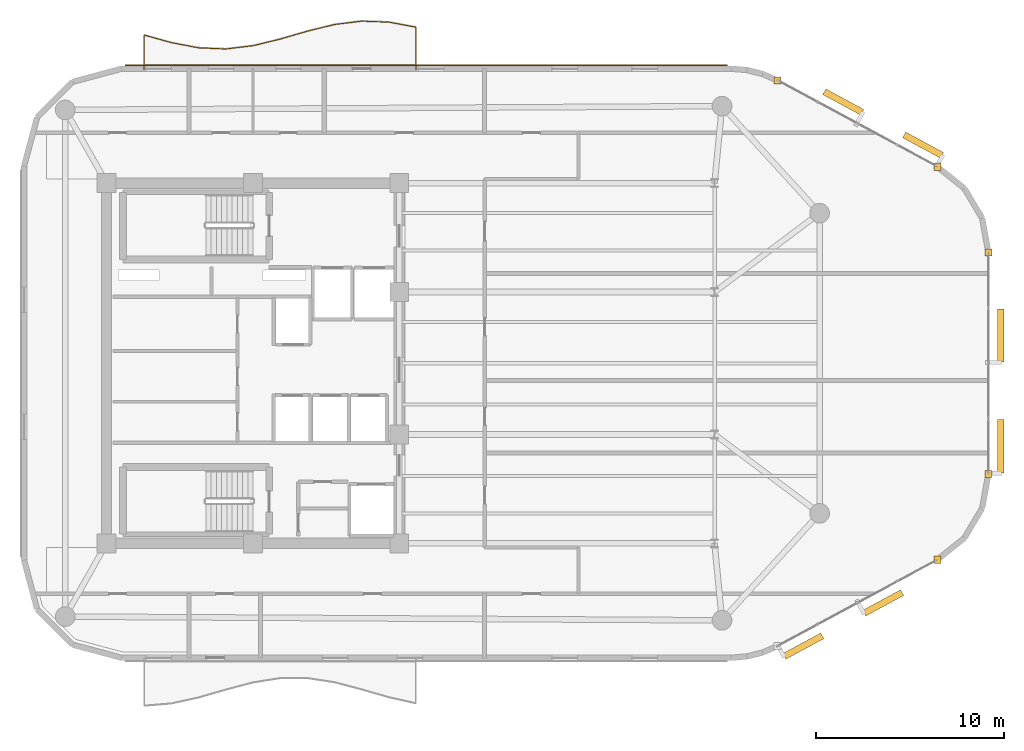
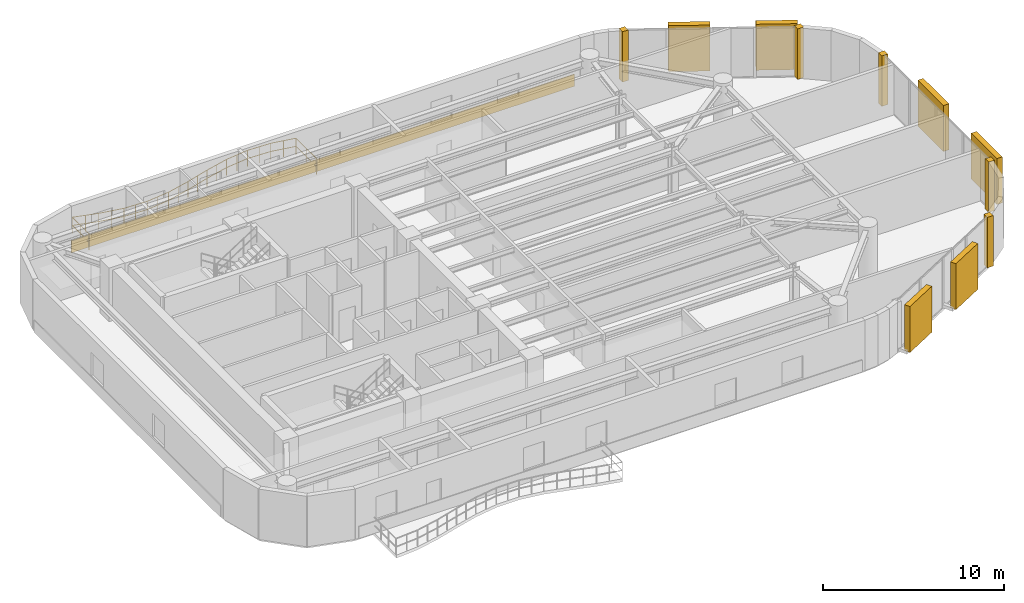
# One storey, part 13 of 13: 6 coverings, 6 shading devices, 1 railing.
"""IFC4 building model written with IfcOpenShell, lengths in metres."""

from ifc_helpers import new_model, si_unit, direction, frame, origin, origin_2d, place, context, subcontext, project, spatial, rectangle, circle, extrude, material, layer, layer_set, type_object, element, save


model = new_model("IFC4")

# Units and contexts
model_context = context("Model", 3, precision=1e-05, world=origin(), true_north=direction((0.0, 1.0)))
body_context = subcontext(model_context, "Body", "Model", "MODEL_VIEW")
ifc_project = project(units=[si_unit("LENGTHUNIT", "METRE"), si_unit("AREAUNIT", "SQUARE_METRE"), si_unit("VOLUMEUNIT", "CUBIC_METRE"), si_unit("PLANEANGLEUNIT", "RADIAN"), si_unit("MASSUNIT", "GRAM", prefix="KILO")], contexts=[model_context])

# Site, building, storey
site_placement = place(None, origin())
site = spatial("IfcSite", under=ifc_project, at=site_placement, CompositionType="ELEMENT")
building_placement = place(site_placement, origin())
building = spatial("IfcBuilding", under=site, at=building_placement, Name="An Khanh Terracotta Commons", CompositionType="ELEMENT")
storey_placement = place(building_placement, frame((0.0, 0.0, 215.699951171875)))
storey = spatial("IfcBuildingStorey", under=building, at=storey_placement, Name="L56", CompositionType="ELEMENT", Elevation=215.699951171875)

# Coverings
ifc_material_1 = material(Name="Fired Terracotta Rainscreen Cladding", Category="masonry")
ifc_layer_1 = layer(ifc_material_1, 0.080078125, Name="Fired Terracotta Rainscreen Cladding")
ifc_layer_set_1 = layer_set([ifc_layer_1], Name="Fired Terracotta Rainscreen Cladding")
covering_type_1 = type_object("IfcCoveringType", Name="COV-JAMB-TERRA", PredefinedType="CLADDING", material=ifc_layer_set_1)
for number, where, z_axis, x_axis, name in (
    (1, (65.8720703125, 13.52587890625, 0.0), (0.0, 0.0, 1.0), (1.0, 0.0, 0.0), "L56 CW-03 Curtain-Wall Jamb Closure JB"),
    (2, (68.60009765625, 18.10107421875, 0.0), (0.0, 0.0, 1.0), (1.0, 0.0, 0.0), "L56 CW-03 Curtain-Wall Jamb Closure JA"),
    (3, (68.60009765625, 29.89892578125, 0.0), (0.0, 0.0, 1.0), (1.0, 0.0, 0.0), "L56 CW-03 Curtain-Wall Jamb Closure JB"),
    (4, (65.8720703125, 34.47412109375, 0.0), (0.0, 0.0, 1.0), (1.0, 0.0, 0.0), "L56 CW-03 Curtain-Wall Jamb Closure JA"),
    (5, (57.35693359375, 39.074951171875, 0.0), (0.0, 0.0, 1.0), (1.0, 0.0, 0.0), "L56 CW-03 Curtain-Wall Jamb Closure JB"),
):
    element("IfcCovering", number, at=place(storey_placement, frame(where, z_axis=z_axis, x_axis=x_axis)), inside=storey, type_object=covering_type_1, Name=name, PredefinedType="CLADDING", context=body_context, shape_type="SweptSolid", body=[
        extrude(rectangle(XDim=0.3798828125, YDim=0.3798828125, at=origin_2d()), origin(), (0.0, 0.0, 1.0), 3.39990234375),
    ])
ifc_layer_2 = layer(ifc_material_1, 0.06005859375, Name="Fired Terracotta Rainscreen Cladding")
ifc_layer_set_2 = layer_set([ifc_layer_2], Name="Fired Terracotta Rainscreen Cladding")
covering_type_2 = type_object("IfcCoveringType", Name="COV-SPANDREL-TERRA", PredefinedType="CLADDING", material=ifc_layer_set_2)
covering_placement = place(storey_placement, frame((38.64208984375, 39.8798828125, 0.02001953125), z_axis=(0.0, 0.0, 1.0), x_axis=(-1.0, 0.0, 0.0)))
element("IfcCovering", 6, at=covering_placement, inside=storey, type_object=covering_type_2, Name="L56 Terracotta Spandrel Cladding 20", PredefinedType="CLADDING", context=body_context, shape_type="SweptSolid", body=[
    extrude(rectangle(XDim=32.0849609375, YDim=0.06005859375, at=origin_2d()), origin(), (0.0, 0.0, 1.0), 0.800048828125),
])

# Railing
ifc_material_2 = material(Name="Brushed Stainless Steel 316", Category="steel")
railing_type = type_object("IfcRailingType", Name="RAIL-BALUSTRADE-1100", PredefinedType="BALUSTRADE", material=ifc_material_2)
railing_placement = place(storey_placement, frame((38.10009765625, 39.639892578125, 0.0)))
element("IfcRailing", 7, at=railing_placement, inside=storey, type_object=railing_type, Name="L56 N Wave Balcony Guard Balustrade", PredefinedType="BALUSTRADE", context=body_context, shape_type="SweptSolid", body=[
    extrude(circle(Radius=0.02392578125, at=origin_2d()), frame((0.0, 0.0, 1.076171875), z_axis=(0.0, 1.0, 0.0), x_axis=(-1.0, 0.0, 0.0)), (0.0, 0.0, 1.0), 2.26708984375),
    extrude(circle(Radius=0.02392578125, at=origin_2d()), frame((0.0, 0.0, 0.52587890625), z_axis=(0.0, 1.0, 0.0), x_axis=(-1.0, 0.0, 0.0)), (0.0, 0.0, 1.0), 2.26708984375),
    extrude(circle(Radius=0.02392578125, at=origin_2d()), frame((0.0, 2.26708984375, 1.076171875), z_axis=(-0.983103738365, 0.183049281924, 0.0), x_axis=(-0.183049281924, -0.983103738365, 0.0)), (0.0, 0.0, 1.0), 1.47509765625),
    extrude(circle(Radius=0.02392578125, at=origin_2d()), frame((0.0, 2.26708984375, 0.52587890625), z_axis=(-0.983103738365, 0.183049281924, 0.0), x_axis=(-0.183049281924, -0.983103738365, 0.0)), (0.0, 0.0, 1.0), 1.47509765625),
    extrude(circle(Radius=0.02392578125, at=origin_2d()), frame((-1.4501953125, 2.537109375, 1.076171875), z_axis=(-0.999308364687, 0.037185914901, 0.0), x_axis=(-0.037185914901, -0.999308364687, 0.0)), (0.0, 0.0, 1.0), 1.450927734375),
    extrude(circle(Radius=0.02392578125, at=origin_2d()), frame((-1.4501953125, 2.537109375, 0.52587890625), z_axis=(-0.999308364687, 0.037185914901, 0.0), x_axis=(-0.037185914901, -0.999308364687, 0.0)), (0.0, 0.0, 1.0), 1.450927734375),
    extrude(circle(Radius=0.02392578125, at=origin_2d()), frame((-2.900146484375, 2.591064453125, 1.076171875), z_axis=(-0.992388023627, -0.123150357537, 0.0), x_axis=(0.123150357537, -0.992388023627, 0.0)), (0.0, 0.0, 1.0), 1.461181640625),
    extrude(circle(Radius=0.02392578125, at=origin_2d()), frame((-2.900146484375, 2.591064453125, 0.52587890625), z_axis=(-0.992388023627, -0.123150357537, 0.0), x_axis=(0.123150357537, -0.992388023627, 0.0)), (0.0, 0.0, 1.0), 1.461181640625),
    extrude(circle(Radius=0.02392578125, at=origin_2d()), frame((-4.35009765625, 2.4111328125, 1.076171875), z_axis=(-0.971011376095, -0.239033276958, 0.0), x_axis=(0.239033276958, -0.971011376095, 0.0)), (0.0, 0.0, 1.0), 1.4931640625),
    extrude(circle(Radius=0.02392578125, at=origin_2d()), frame((-4.35009765625, 2.4111328125, 0.52587890625), z_axis=(-0.971011376095, -0.239033276958, 0.0), x_axis=(0.239033276958, -0.971011376095, 0.0)), (0.0, 0.0, 1.0), 1.4931640625),
    extrude(circle(Radius=0.02392578125, at=origin_2d()), frame((-5.800048828125, 2.05419921875, 1.076171875), z_axis=(-0.960139302464, -0.279521948806, 0.0), x_axis=(0.279521948806, -0.960139302464, 0.0)), (0.0, 0.0, 1.0), 1.51025390625),
    extrude(circle(Radius=0.02392578125, at=origin_2d()), frame((-5.800048828125, 2.05419921875, 0.52587890625), z_axis=(-0.960139302464, -0.279521948806, 0.0), x_axis=(0.279521948806, -0.960139302464, 0.0)), (0.0, 0.0, 1.0), 1.51025390625),
    extrude(circle(Radius=0.02392578125, at=origin_2d()), frame((-7.25, 1.632080078125, 1.076171875), z_axis=(-0.971775138937, -0.23590904888, 0.0), x_axis=(0.23590904888, -0.971775138937, 0.0)), (0.0, 0.0, 1.0), 1.492431640625),
    extrude(circle(Radius=0.02392578125, at=origin_2d()), frame((-7.25, 1.632080078125, 0.52587890625), z_axis=(-0.971775138937, -0.23590904888, 0.0), x_axis=(0.23590904888, -0.971775138937, 0.0)), (0.0, 0.0, 1.0), 1.492431640625),
    extrude(circle(Radius=0.02392578125, at=origin_2d()), frame((-8.7001953125, 1.280029296875, 1.076171875), z_axis=(-0.992969102458, -0.118373821273, 0.0), x_axis=(0.118373821273, -0.992969102458, 0.0)), (0.0, 0.0, 1.0), 1.460205078125),
    extrude(circle(Radius=0.02392578125, at=origin_2d()), frame((-8.7001953125, 1.280029296875, 0.52587890625), z_axis=(-0.992969102458, -0.118373821273, 0.0), x_axis=(0.118373821273, -0.992969102458, 0.0)), (0.0, 0.0, 1.0), 1.460205078125),
    extrude(circle(Radius=0.02392578125, at=origin_2d()), frame((-10.150146484375, 1.107177734375, 1.076171875), z_axis=(-0.999086695694, 0.042729082456, 0.0), x_axis=(-0.042729082456, -0.999086695694, 0.0)), (0.0, 0.0, 1.0), 1.451171875),
    extrude(circle(Radius=0.02392578125, at=origin_2d()), frame((-10.150146484375, 1.107177734375, 0.52587890625), z_axis=(-0.999086695694, 0.042729082456, 0.0), x_axis=(-0.042729082456, -0.999086695694, 0.0)), (0.0, 0.0, 1.0), 1.451171875),
    extrude(circle(Radius=0.02392578125, at=origin_2d()), frame((-11.60009765625, 1.169189453125, 1.076171875), z_axis=(-0.982254505579, 0.187552889262, 0.0), x_axis=(-0.187552889262, -0.982254505579, 0.0)), (0.0, 0.0, 1.0), 1.47607421875),
    extrude(circle(Radius=0.02392578125, at=origin_2d()), frame((-11.60009765625, 1.169189453125, 0.52587890625), z_axis=(-0.982254505579, 0.187552889262, 0.0), x_axis=(-0.187552889262, -0.982254505579, 0.0)), (0.0, 0.0, 1.0), 1.47607421875),
    extrude(circle(Radius=0.02392578125, at=origin_2d()), frame((-13.050048828125, 1.446044921875, 1.076171875), z_axis=(-0.963296824623, 0.268438498864, 0.0), x_axis=(-0.268438498864, -0.963296824623, 0.0)), (0.0, 0.0, 1.0), 1.505126953125),
    extrude(circle(Radius=0.02392578125, at=origin_2d()), frame((-13.050048828125, 1.446044921875, 0.52587890625), z_axis=(-0.963296824623, 0.268438498864, 0.0), x_axis=(-0.268438498864, -0.963296824623, 0.0)), (0.0, 0.0, 1.0), 1.505126953125),
    extrude(circle(Radius=0.02392578125, at=origin_2d()), frame((-14.5, 1.85009765625, 1.076171875), z_axis=(0.0, -1.0, 0.0), x_axis=(1.0, 0.0, 0.0)), (0.0, 0.0, 1.0), 1.85009765625),
    extrude(circle(Radius=0.02392578125, at=origin_2d()), frame((-14.5, 1.85009765625, 0.52587890625), z_axis=(0.0, -1.0, 0.0), x_axis=(1.0, 0.0, 0.0)), (0.0, 0.0, 1.0), 1.85009765625),
    extrude(circle(Radius=0.02099609375, at=origin_2d()), origin(), (0.0, 0.0, 1.0), 1.052001953125),
    extrude(circle(Radius=0.02099609375, at=origin_2d()), frame((0.0, 1.133544921875, 0.0)), (0.0, 0.0, 1.0), 1.052001953125),
    extrude(circle(Radius=0.02099609375, at=origin_2d()), frame((0.0, 2.26708984375, 0.0)), (0.0, 0.0, 1.0), 1.052001953125),
    extrude(circle(Radius=0.02099609375, at=origin_2d()), frame((-0.72509765625, 2.402099609375, 0.0)), (0.0, 0.0, 1.0), 1.052001953125),
    extrude(circle(Radius=0.02099609375, at=origin_2d()), frame((-1.4501953125, 2.537109375, 0.0)), (0.0, 0.0, 1.0), 1.052001953125),
    extrude(circle(Radius=0.02099609375, at=origin_2d()), frame((-2.17529296875, 2.56396484375, 0.0)), (0.0, 0.0, 1.0), 1.052001953125),
    extrude(circle(Radius=0.02099609375, at=origin_2d()), frame((-2.900146484375, 2.591064453125, 0.0)), (0.0, 0.0, 1.0), 1.052001953125),
    extrude(circle(Radius=0.02099609375, at=origin_2d()), frame((-3.625, 2.5009765625, 0.0)), (0.0, 0.0, 1.0), 1.052001953125),
    extrude(circle(Radius=0.02099609375, at=origin_2d()), frame((-4.35009765625, 2.4111328125, 0.0)), (0.0, 0.0, 1.0), 1.052001953125),
    extrude(circle(Radius=0.02099609375, at=origin_2d()), frame((-5.0751953125, 2.232666015625, 0.0)), (0.0, 0.0, 1.0), 1.052001953125),
    extrude(circle(Radius=0.02099609375, at=origin_2d()), frame((-5.800048828125, 2.05419921875, 0.0)), (0.0, 0.0, 1.0), 1.052001953125),
    extrude(circle(Radius=0.02099609375, at=origin_2d()), frame((-6.52490234375, 1.84326171875, 0.0)), (0.0, 0.0, 1.0), 1.052001953125),
    extrude(circle(Radius=0.02099609375, at=origin_2d()), frame((-7.25, 1.632080078125, 0.0)), (0.0, 0.0, 1.0), 1.052001953125),
    extrude(circle(Radius=0.02099609375, at=origin_2d()), frame((-7.97509765625, 1.4560546875, 0.0)), (0.0, 0.0, 1.0), 1.052001953125),
    extrude(circle(Radius=0.02099609375, at=origin_2d()), frame((-8.7001953125, 1.280029296875, 0.0)), (0.0, 0.0, 1.0), 1.052001953125),
    extrude(circle(Radius=0.02099609375, at=origin_2d()), frame((-9.42529296875, 1.193603515625, 0.0)), (0.0, 0.0, 1.0), 1.052001953125),
    extrude(circle(Radius=0.02099609375, at=origin_2d()), frame((-10.150146484375, 1.107177734375, 0.0)), (0.0, 0.0, 1.0), 1.052001953125),
    extrude(circle(Radius=0.02099609375, at=origin_2d()), frame((-10.875, 1.13818359375, 0.0)), (0.0, 0.0, 1.0), 1.052001953125),
    extrude(circle(Radius=0.02099609375, at=origin_2d()), frame((-11.60009765625, 1.169189453125, 0.0)), (0.0, 0.0, 1.0), 1.052001953125),
    extrude(circle(Radius=0.02099609375, at=origin_2d()), frame((-12.3251953125, 1.3076171875, 0.0)), (0.0, 0.0, 1.0), 1.052001953125),
    extrude(circle(Radius=0.02099609375, at=origin_2d()), frame((-13.050048828125, 1.446044921875, 0.0)), (0.0, 0.0, 1.0), 1.052001953125),
    extrude(circle(Radius=0.02099609375, at=origin_2d()), frame((-13.77490234375, 1.64794921875, 0.0)), (0.0, 0.0, 1.0), 1.052001953125),
    extrude(circle(Radius=0.02099609375, at=origin_2d()), frame((-14.5, 1.85009765625, 0.0)), (0.0, 0.0, 1.0), 1.052001953125),
    extrude(circle(Radius=0.02099609375, at=origin_2d()), frame((-14.5, 0.925048828125, 0.0)), (0.0, 0.0, 1.0), 1.052001953125),
    extrude(circle(Radius=0.02099609375, at=origin_2d()), frame((-14.5, 0.0, 0.0)), (0.0, 0.0, 1.0), 1.052001953125),
])

# Shading devices
ifc_material_3 = material(Name="Extruded Fired Terracotta", Category="masonry")
shading_device_type = type_object("IfcShadingDeviceType", Name="Terracotta Baguette Screen Assembly", PredefinedType="USERDEFINED", material=ifc_material_3)
for number, where, z_axis, x_axis, name in (
    (8, (58.72998046875, 8.927978515625, 0.14990234375), (0.0, 0.0, 1.0), (0.879780095306, 0.47538088298, 0.0), "L56 Terracotta Baguette Screen 1"),
    (9, (62.988037109375, 11.22900390625, 0.14990234375), (0.0, 0.0, 1.0), (0.879780095306, 0.47538088298, 0.0), "L56 Terracotta Baguette Screen 3"),
):
    element("IfcShadingDevice", number, at=place(storey_placement, frame(where, z_axis=z_axis, x_axis=x_axis)), inside=storey, type_object=shading_device_type, Name=name, ObjectType="BAGUETTE", PredefinedType="USERDEFINED", context=body_context, shape_type="SweptSolid", body=[
        extrude(rectangle(XDim=2.300048828125, YDim=0.35009765625, at=origin_2d()), origin(), (0.0, 0.0, 1.0), 3.10009765625),
    ])
for number, where, z_axis, x_axis, name in (
    (10, (69.25, 19.575927734375, 0.14990234375), (0.0, 0.0, 1.0), (0.0, 1.0, 0.0), "L56 Terracotta Baguette Screen 1"),
    (11, (69.25, 25.47509765625, 0.14990234375), (0.0, 0.0, 1.0), (0.0, 1.0, 0.0), "L56 Terracotta Baguette Screen 3"),
):
    element("IfcShadingDevice", number, at=place(storey_placement, frame(where, z_axis=z_axis, x_axis=x_axis)), inside=storey, type_object=shading_device_type, Name=name, ObjectType="BAGUETTE", PredefinedType="USERDEFINED", context=body_context, shape_type="SweptSolid", body=[
        extrude(rectangle(XDim=2.830078125, YDim=0.35009765625, at=origin_2d()), origin(), (0.0, 0.0, 1.0), 3.10009765625),
    ])
for number, where, z_axis, x_axis, name in (
    (12, (65.116943359375, 35.62109375, 0.14990234375), (0.0, 0.0, 1.0), (-0.879780095306, 0.47538088298, 0.0), "L56 Terracotta Baguette Screen 1"),
    (13, (60.85888671875, 37.9208984375, 0.14990234375), (0.0, 0.0, 1.0), (-0.879780095306, 0.47538088298, 0.0), "L56 Terracotta Baguette Screen 3"),
):
    element("IfcShadingDevice", number, at=place(storey_placement, frame(where, z_axis=z_axis, x_axis=x_axis)), inside=storey, type_object=shading_device_type, Name=name, ObjectType="BAGUETTE", PredefinedType="USERDEFINED", context=body_context, shape_type="SweptSolid", body=[
        extrude(rectangle(XDim=2.300048828125, YDim=0.35009765625, at=origin_2d()), origin(), (0.0, 0.0, 1.0), 3.10009765625),
    ])

save(model, "model.ifc")
